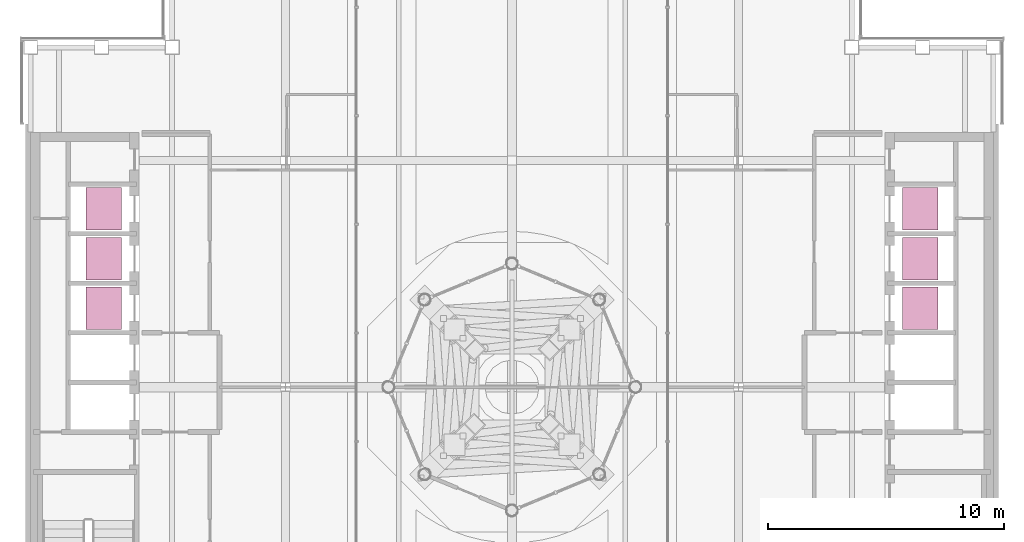
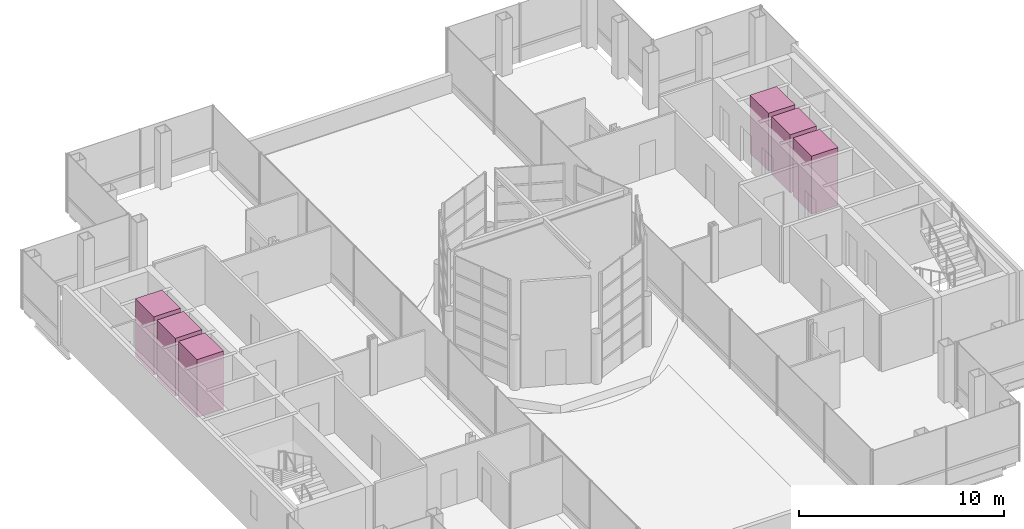
# One storey, part 32 of 32: 6 transport elements.
"""IFC4 building model written with IfcOpenShell, lengths in metres."""

import ifcopenshell
import ifcopenshell.guid

model = None  # the IFC model being written
_history = None  # IfcOwnerHistory: only IFC2X3 demands one
_inside = {}  # id of a spatial element -> (the spatial element, [elements in it])
_under = {}  # id of a project, library or spatial element -> (it, [spatial elements below it])
_declared = {}  # id of a project -> (the project, [libraries it declares])
_typed = {}  # id of a type object -> (the type object, [elements of that type])
_made_of = {}  # id of a material, layer set ... -> (it, [elements and type objects made of it])


def new_model(schema):
    """Start an empty IFC model of exactly this schema.

    Asked for "IFC4X3", IfcOpenShell would pick the latest addendum, in which some entities
    have other attributes; the version numbers below select the first issue.
    IFC2X3 requires an IfcOwnerHistory on every rooted entity: one is made here for all.
    """
    global model, _history
    if schema == "IFC4X3":
        model = ifcopenshell.file(schema_version=(4, 3, 0, 0))
    else:
        model = ifcopenshell.file(schema=schema)
    _inside.clear()
    _under.clear()
    _declared.clear()
    _typed.clear()
    _made_of.clear()
    _history = None
    if model.schema == "IFC2X3":
        org = make("IfcOrganization", Name="unknown")
        user = make(
            "IfcPersonAndOrganization",
            ThePerson=make("IfcPerson", FamilyName="unknown"),
            TheOrganization=org,
        )
        app = make(
            "IfcApplication",
            ApplicationDeveloper=org,
            Version="unknown",
            ApplicationFullName="unknown",
            ApplicationIdentifier="unknown",
        )
        _history = make(
            "IfcOwnerHistory",
            OwningUser=user,
            OwningApplication=app,
            ChangeAction="ADDED",
            CreationDate=0,
        )
    return model


def make(cls, **values):
    """One entity of the class cls with the attributes given. An attribute that is None is left unset."""
    return model.create_entity(
        cls, **{name: value for name, value in values.items() if value is not None}
    )


def rooted(cls, **values):
    """An entity with a GlobalId (a new one), such as an element, a storey or a relation."""
    return make(cls, GlobalId=ifcopenshell.guid.new(), OwnerHistory=_history, **values)


def si_unit(unit_type, name, prefix=None):
    """IfcSIUnit, for example si_unit("LENGTHUNIT", "METRE", prefix="MILLI")."""
    return make("IfcSIUnit", UnitType=unit_type, Prefix=prefix, Name=name)


def assignment(units):
    """IfcUnitAssignment: the units of a project."""
    return None if units is None else make("IfcUnitAssignment", Units=units)


def point(xyz):
    """IfcCartesianPoint."""
    return None if xyz is None else make("IfcCartesianPoint", Coordinates=xyz)


def direction(xyz):
    """IfcDirection."""
    return None if xyz is None else make("IfcDirection", DirectionRatios=xyz)


def frame(location, z_axis=None, x_axis=None):
    """IfcAxis2Placement3D, a coordinate frame: its origin and axes. An axis left out is left unset."""
    return make(
        "IfcAxis2Placement3D",
        Location=point(location),
        Axis=direction(z_axis),
        RefDirection=direction(x_axis),
    )


def frame_2d(location, x_axis=None):
    """IfcAxis2Placement2D, a coordinate frame in the plane: its origin and x axis."""
    return make(
        "IfcAxis2Placement2D", Location=point(location), RefDirection=direction(x_axis)
    )


def origin():
    """The frame at (0, 0, 0) with its axes left unset."""
    return frame((0.0, 0.0, 0.0))


def origin_2d():
    """The frame at (0, 0) in the plane with its x axis left unset."""
    return frame_2d((0.0, 0.0))


def place(relative_to, where):
    """IfcLocalPlacement: puts the frame where relative to a parent placement (None: the world)."""
    return make(
        "IfcLocalPlacement", PlacementRelTo=relative_to, RelativePlacement=where
    )


def context(
    kind, dimensions, precision=None, world=None, true_north=None, identifier=None
):
    """IfcGeometricRepresentationContext, for example the 3D "Model" context."""
    return make(
        "IfcGeometricRepresentationContext",
        ContextIdentifier=identifier,
        ContextType=kind,
        CoordinateSpaceDimension=dimensions,
        Precision=precision,
        WorldCoordinateSystem=world,
        TrueNorth=true_north,
    )


def subcontext(parent, identifier, kind, view, scale=None):
    """IfcGeometricRepresentationSubContext, for example "Body" below "Model"."""
    return make(
        "IfcGeometricRepresentationSubContext",
        ContextIdentifier=identifier,
        ContextType=kind,
        ParentContext=parent,
        TargetScale=scale,
        TargetView=view,
    )


def project(units=None, contexts=None):
    """IfcProject with its units and contexts."""
    return rooted(
        "IfcProject",
        Name="project",
        RepresentationContexts=contexts,
        UnitsInContext=assignment(units),
    )


def spatial(cls, under=None, at=None, **own):
    """A site, building, storey or space (cls), placed at a placement, below another one or the project."""
    s = rooted(cls, ObjectPlacement=at, **own)
    if under is not None:
        _under.setdefault(under.id(), (under, []))[1].append(s)
    return s


def profile(cls, at=None, kind="AREA", **sizes):
    """A parametric profile (cls). Its sizes go by their IFC names, for example OverallWidth=200.0."""
    return make(cls, ProfileType=kind, Position=at, **sizes)


def rectangle(**sizes):
    """IfcRectangleProfileDef."""
    return profile("IfcRectangleProfileDef", **sizes)


def extrude(swept, where, along, depth):
    """IfcExtrudedAreaSolid: the profile swept, set in the frame where, extruded along a direction by depth."""
    return make(
        "IfcExtrudedAreaSolid",
        SweptArea=swept,
        Position=where,
        ExtrudedDirection=direction(along),
        Depth=depth,
    )


def shape(context_of_items, identifier, shape_type, items):
    """IfcShapeRepresentation: the items that make up one representation, for example the "Body"."""
    return make(
        "IfcShapeRepresentation",
        ContextOfItems=context_of_items,
        RepresentationIdentifier=identifier,
        RepresentationType=shape_type,
        Items=items,
    )


def material(Name=None, Category=None):
    """IfcMaterial."""
    return make("IfcMaterial", Name=Name, Category=Category)


def made_of(thing, what):
    """Note that an element or type object is made of a material, layer set ...; save() writes the relation."""
    if what is not None:
        _made_of.setdefault(what.id(), (what, []))[1].append(thing)
    return thing


def type_object(cls, material=None, **own):
    """A type object (cls), such as IfcWallType, which elements share."""
    return made_of(rooted(cls, **own), material)


def element(
    cls,
    number,
    at=None,
    inside=None,
    cuts=None,
    type_object=None,
    material=None,
    context=None,
    identifier="Body",
    shape_type=None,
    held_by="IfcProductDefinitionShape",
    body=None,
    shapes=None,
    **own,
):
    """One element of the class cls, such as IfcWall. Its Tag is "e" and its number.

    at: its placement. inside: the storey or other place that contains it. cuts: it is an
    opening in that element (IfcRelVoidsElement). A single representation is given by context,
    identifier, shape_type and body (its items); several are given by shapes. held_by: the class
    of the entity that holds the representations. save() writes the other relations.
    """
    e = rooted(cls, Tag="e%d" % number, ObjectPlacement=at, **own)
    if body is not None:
        shapes = [shape(context, identifier, shape_type, body)]
    if shapes is not None:
        e.Representation = make(held_by, Representations=shapes)
    if inside is not None:
        _inside.setdefault(inside.id(), (inside, []))[1].append(e)
    if cuts is not None:
        rooted(
            "IfcRelVoidsElement", RelatingBuildingElement=cuts, RelatedOpeningElement=e
        )
    if type_object is not None:
        _typed.setdefault(type_object.id(), (type_object, []))[1].append(e)
    return made_of(e, material)


def aggregate(whole, parts):
    """IfcRelAggregates: a whole, such as a stair, and the parts it consists of."""
    return rooted("IfcRelAggregates", RelatingObject=whole, RelatedObjects=parts)


def save(model, path):
    """Write the relations noted so far, then the file.

    IfcRelAggregates (storeys below a building ...), IfcRelContainedInSpatialStructure (elements
    in a storey), IfcRelDefinesByType, IfcRelAssociatesMaterial and IfcRelDeclares: one each for
    every whole, place, type object, material and project.
    """
    for whole, parts in _under.values():
        aggregate(whole, parts)
    for where, things in _inside.values():
        rooted(
            "IfcRelContainedInSpatialStructure",
            RelatedElements=things,
            RelatingStructure=where,
        )
    for kind, things in _typed.values():
        rooted("IfcRelDefinesByType", RelatedObjects=things, RelatingType=kind)
    for what, things in _made_of.values():
        rooted("IfcRelAssociatesMaterial", RelatedObjects=things, RelatingMaterial=what)
    for by, libraries in _declared.values():
        rooted("IfcRelDeclares", RelatingContext=by, RelatedDefinitions=libraries)
    model.write(path)


model = new_model("IFC4")

# Units and contexts
model_context = context("Model", 3, precision=1e-05, world=origin(), true_north=direction((0.0, 1.0)))
body_context = subcontext(model_context, "Body", "Model", "MODEL_VIEW")
ifc_project = project(units=[si_unit("LENGTHUNIT", "METRE"), si_unit("AREAUNIT", "SQUARE_METRE"), si_unit("VOLUMEUNIT", "CUBIC_METRE"), si_unit("PLANEANGLEUNIT", "RADIAN"), si_unit("MASSUNIT", "GRAM", prefix="KILO")], contexts=[model_context])

# Site, building, storey
site_placement = place(None, origin())
site = spatial("IfcSite", under=ifc_project, at=site_placement, CompositionType="ELEMENT")
building_placement = place(site_placement, origin())
building = spatial("IfcBuilding", under=site, at=building_placement, Name="Cobrizo Arcos Hotel Tower", CompositionType="ELEMENT")
storey_placement = place(building_placement, frame((0.0, 0.0, 265.5)))
storey = spatial("IfcBuildingStorey", under=building, at=storey_placement, Name="L70", CompositionType="ELEMENT", Elevation=265.5)

# Transport elements
ifc_material = material(Name="Stainless steel car", Category="steel")
transport_element_type = type_object("IfcTransportElementType", Name="Lift car High 1.8x1.5", PredefinedType="ELEVATOR", material=ifc_material)
for number, where, z_axis, x_axis, name in (
    (1, (-17.300048828125, 3.35009765625, 0.0), (0.0, 0.0, 1.0), (1.0, 0.0, 0.0), "High-rise passenger lift W1"),
    (2, (-17.300048828125, 5.449951171875, 0.0), (0.0, 0.0, 1.0), (1.0, 0.0, 0.0), "High-rise passenger lift W2"),
    (3, (-17.300048828125, 7.550048828125, 0.0), (0.0, 0.0, 1.0), (1.0, 0.0, 0.0), "High-rise passenger lift W3"),
    (4, (17.300048828125, 3.35009765625, 0.0), (0.0, 0.0, 1.0), (1.0, 0.0, 0.0), "High-rise passenger lift E1"),
    (5, (17.300048828125, 5.449951171875, 0.0), (0.0, 0.0, 1.0), (1.0, 0.0, 0.0), "High-rise passenger lift E2"),
    (6, (17.300048828125, 7.550048828125, 0.0), (0.0, 0.0, 1.0), (1.0, 0.0, 0.0), "High-rise passenger lift E3"),
):
    element("IfcTransportElement", number, at=place(storey_placement, frame(where, z_axis=z_axis, x_axis=x_axis)), inside=storey, type_object=transport_element_type, Name=name, PredefinedType="ELEVATOR", context=body_context, shape_type="SweptSolid", body=[
        extrude(rectangle(XDim=1.5, YDim=1.800048828125, at=origin_2d()), origin(), (0.0, 0.0, 1.0), 3.449951171875),
    ])

save(model, "model.ifc")
